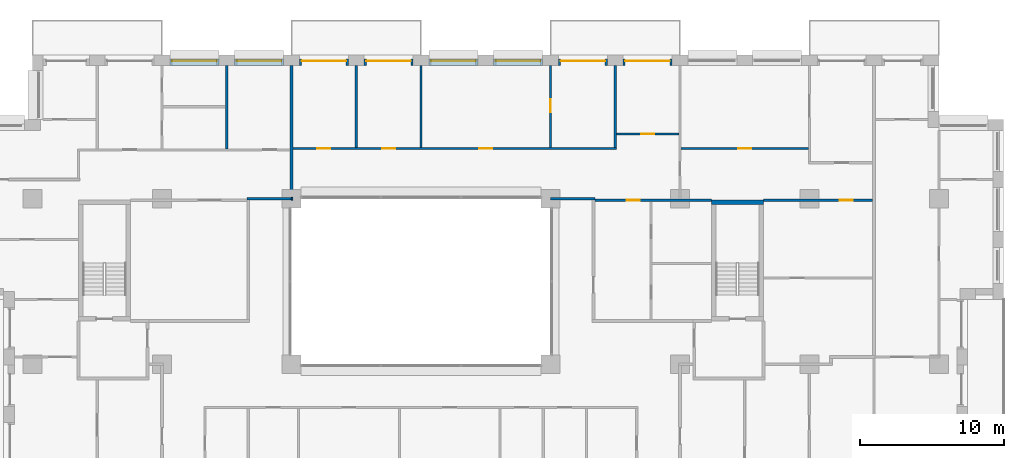
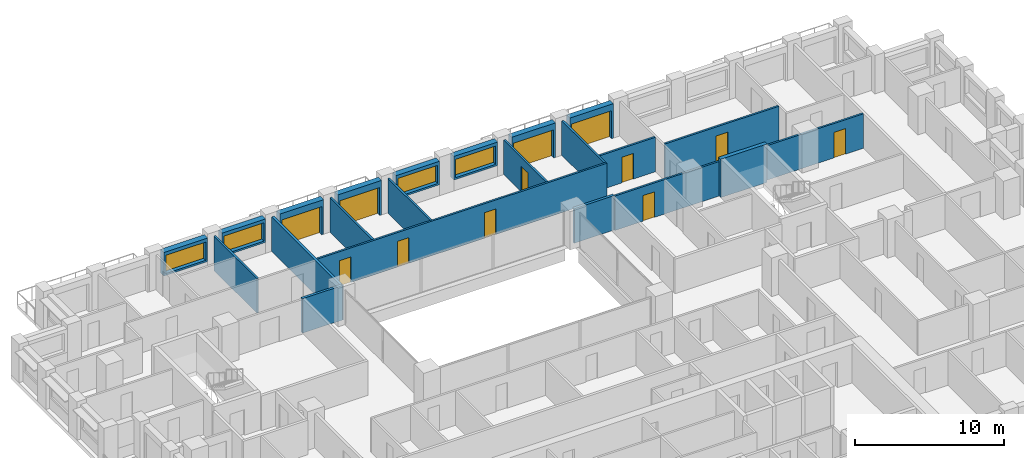
# One storey, part 13 of 16: 23 walls, 12 doors, 4 windows, 16 openings.
"""IFC4 building model written with IfcOpenShell, lengths in metres."""

from ifc_helpers import new_model, si_unit, direction, frame, frame_2d, origin, place, context, subcontext, project, spatial, rectangle, extrude, material, layer, layer_set, type_object, element, fill, save


model = new_model("IFC4")

# Units and contexts
model_context = context("Model", 3, precision=1e-05, world=origin(), true_north=direction((0.0, 1.0)))
body_context = subcontext(model_context, "Body", "Model", "MODEL_VIEW")
ifc_project = project(units=[si_unit("LENGTHUNIT", "METRE"), si_unit("AREAUNIT", "SQUARE_METRE"), si_unit("VOLUMEUNIT", "CUBIC_METRE"), si_unit("PLANEANGLEUNIT", "RADIAN"), si_unit("MASSUNIT", "GRAM", prefix="KILO")], contexts=[model_context])

# Site, building, storey
site_placement = place(None, origin())
site = spatial("IfcSite", under=ifc_project, at=site_placement, CompositionType="ELEMENT")
building_placement = place(site_placement, origin())
building = spatial("IfcBuilding", under=site, at=building_placement, Name="Brigalow Station Residences", CompositionType="ELEMENT")
storey_placement = place(building_placement, frame((0.0, 0.0, 124.5)))
storey = spatial("IfcBuildingStorey", under=building, at=storey_placement, Name="L36", CompositionType="ELEMENT", Elevation=124.5)

# Wall, opening, door
ifc_material_1 = material(Name="Clay brick masonry", Category="masonry")
ifc_layer_1 = layer(ifc_material_1, 0.449951171875)
ifc_layer_set_1 = layer_set([ifc_layer_1], Name="BRICK INFILL WALL 450")
wall_type_1 = type_object("IfcWallType", Name="BRICK INFILL WALL 450", PredefinedType="SOLIDWALL", material=ifc_layer_set_1)
wall_1_placement = place(storey_placement, frame((53.449951171875, 44.97509765625, 0.0), z_axis=(0.0, 0.0, 1.0), x_axis=(-1.0, 0.0, 0.0)))
wall_1 = element("IfcWall", 1, at=wall_1_placement, inside=storey, type_object=wall_type_1, Name="L36/ewall/W-L36-27", PredefinedType="SOLIDWALL", context=body_context, shape_type="SweptSolid", body=[
    extrude(rectangle(XDim=3.39990234375, YDim=0.449951171875, at=frame_2d((1.699951171875, 0.0))), origin(), (0.0, 0.0, 1.0), 2.830078125),
])
opening_1_placement = place(wall_1_placement, frame((0.14990234375, 0.0, 0.0)))
opening_1 = element("IfcOpeningElement", 2, at=opening_1_placement, cuts=wall_1, Name="Opening D-B3100", PredefinedType="OPENING", context=body_context, shape_type="SweptSolid", body=[
    extrude(rectangle(XDim=3.10009765625, YDim=2.300048828125, at=frame_2d((1.550048828125, 1.14990234375))), frame((0.0, 0.23486328125, 0.0), z_axis=(0.0, -1.0, 0.0), x_axis=(1.0, 0.0, 0.0)), (0.0, 0.0, 1.0), 0.469970703125),
])
ifc_material_2 = material(Name="Anodised aluminium frame with double glazing", Category="aluminium")
door_type_1 = type_object("IfcDoorType", Name="BALCONY SLIDING DOOR 3100x2300", OperationType="SLIDING_TO_LEFT", PredefinedType="DOOR", material=ifc_material_2)
door_1_placement = place(opening_1_placement, origin())
door_1 = element("IfcDoor", 3, at=door_1_placement, inside=storey, type_object=door_type_1, Name="L36/balcony-door/W-L36-27", OperationType="SLIDING_TO_LEFT", OverallHeight=2.300048828125, OverallWidth=3.10009765625, PredefinedType="DOOR", context=body_context, shape_type="SweptSolid", body=[
    extrude(rectangle(XDim=3.10009765625, YDim=2.300048828125, at=frame_2d((1.550048828125, 1.14990234375))), frame((0.0, -0.06982421875, 0.0), z_axis=(0.0, -1.0, 0.0), x_axis=(1.0, 0.0, 0.0)), (0.0, 0.0, 1.0), 0.050048828125),
])
fill(opening_1, door_1)

wall_2_placement = place(storey_placement, frame((48.949951171875, 44.97509765625, 0.0), z_axis=(0.0, 0.0, 1.0), x_axis=(-1.0, 0.0, 0.0)))
wall_2 = element("IfcWall", 4, at=wall_2_placement, inside=storey, type_object=wall_type_1, Name="L36/ewall/W-L36-28", PredefinedType="SOLIDWALL", context=body_context, shape_type="SweptSolid", body=[
    extrude(rectangle(XDim=3.39990234375, YDim=0.449951171875, at=frame_2d((1.699951171875, 0.0))), origin(), (0.0, 0.0, 1.0), 2.830078125),
])
opening_2_placement = place(wall_2_placement, frame((0.14990234375, 0.0, 0.0)))
opening_2 = element("IfcOpeningElement", 5, at=opening_2_placement, cuts=wall_2, Name="Opening D-B3100", PredefinedType="OPENING", context=body_context, shape_type="SweptSolid", body=[
    extrude(rectangle(XDim=3.10009765625, YDim=2.300048828125, at=frame_2d((1.550048828125, 1.14990234375))), frame((0.0, 0.23486328125, 0.0), z_axis=(0.0, -1.0, 0.0), x_axis=(1.0, 0.0, 0.0)), (0.0, 0.0, 1.0), 0.469970703125),
])
door_2_placement = place(opening_2_placement, origin())
door_2 = element("IfcDoor", 6, at=door_2_placement, inside=storey, type_object=door_type_1, Name="L36/balcony-door/W-L36-28", OperationType="SLIDING_TO_LEFT", OverallHeight=2.300048828125, OverallWidth=3.10009765625, PredefinedType="DOOR", context=body_context, shape_type="SweptSolid", body=[
    extrude(rectangle(XDim=3.10009765625, YDim=2.300048828125, at=frame_2d((1.550048828125, 1.14990234375))), frame((0.0, -0.06982421875, 0.0), z_axis=(0.0, -1.0, 0.0), x_axis=(1.0, 0.0, 0.0)), (0.0, 0.0, 1.0), 0.050048828125),
])
fill(opening_2, door_2)

# Wall, opening, window
wall_3_placement = place(storey_placement, frame((44.449951171875, 44.97509765625, 0.89990234375), z_axis=(0.0, 0.0, 1.0), x_axis=(-1.0, 0.0, 0.0)))
wall_3 = element("IfcWall", 7, at=wall_3_placement, inside=storey, type_object=wall_type_1, Name="L36/ewall/W-L36-29", PredefinedType="SOLIDWALL", context=body_context, shape_type="SweptSolid", body=[
    extrude(rectangle(XDim=3.39990234375, YDim=0.449951171875, at=frame_2d((1.699951171875, 0.0))), origin(), (0.0, 0.0, 1.0), 1.93017578125),
])
opening_3_placement = place(wall_3_placement, frame((0.14990234375, 0.0, 0.14990234375)))
opening_3 = element("IfcOpeningElement", 8, at=opening_3_placement, cuts=wall_3, Name="Opening WT-8", PredefinedType="OPENING", context=body_context, shape_type="SweptSolid", body=[
    extrude(rectangle(XDim=3.10009765625, YDim=1.5, at=frame_2d((1.550048828125, 0.75))), frame((0.0, 0.23486328125, 0.0), z_axis=(0.0, -1.0, 0.0), x_axis=(1.0, 0.0, 0.0)), (0.0, 0.0, 1.0), 0.469970703125),
])
ifc_material_3 = material(Name="Anodised aluminium frame with double glazing", Category="aluminium")
window_type = type_object("IfcWindowType", Name="WINDOW 3100x1500", PartitioningType="SINGLE_PANEL", PredefinedType="WINDOW", material=ifc_material_3)
window_1_placement = place(opening_3_placement, origin())
window_1 = element("IfcWindow", 9, at=window_1_placement, inside=storey, type_object=window_type, Name="L36/window/W-L36-29", OverallHeight=1.5, OverallWidth=3.10009765625, PartitioningType="SINGLE_PANEL", PredefinedType="WINDOW", context=body_context, shape_type="SweptSolid", body=[
    extrude(rectangle(XDim=3.10009765625, YDim=1.5, at=frame_2d((1.550048828125, 0.75))), frame((0.0, -0.06494140625, 0.0), z_axis=(0.0, -1.0, 0.0), x_axis=(1.0, 0.0, 0.0)), (0.0, 0.0, 1.0), 0.06005859375),
])
fill(opening_3, window_1)

wall_4_placement = place(storey_placement, frame((39.949951171875, 44.97509765625, 0.89990234375), z_axis=(0.0, 0.0, 1.0), x_axis=(-1.0, 0.0, 0.0)))
wall_4 = element("IfcWall", 10, at=wall_4_placement, inside=storey, type_object=wall_type_1, Name="L36/ewall/W-L36-30", PredefinedType="SOLIDWALL", context=body_context, shape_type="SweptSolid", body=[
    extrude(rectangle(XDim=3.39990234375, YDim=0.449951171875, at=frame_2d((1.699951171875, 0.0))), origin(), (0.0, 0.0, 1.0), 1.93017578125),
])
opening_4_placement = place(wall_4_placement, frame((0.14990234375, 0.0, 0.14990234375)))
opening_4 = element("IfcOpeningElement", 11, at=opening_4_placement, cuts=wall_4, Name="Opening WT-8", PredefinedType="OPENING", context=body_context, shape_type="SweptSolid", body=[
    extrude(rectangle(XDim=3.10009765625, YDim=1.5, at=frame_2d((1.550048828125, 0.75))), frame((0.0, 0.23486328125, 0.0), z_axis=(0.0, -1.0, 0.0), x_axis=(1.0, 0.0, 0.0)), (0.0, 0.0, 1.0), 0.469970703125),
])
window_2_placement = place(opening_4_placement, origin())
window_2 = element("IfcWindow", 12, at=window_2_placement, inside=storey, type_object=window_type, Name="L36/window/W-L36-30", OverallHeight=1.5, OverallWidth=3.10009765625, PartitioningType="SINGLE_PANEL", PredefinedType="WINDOW", context=body_context, shape_type="SweptSolid", body=[
    extrude(rectangle(XDim=3.10009765625, YDim=1.5, at=frame_2d((1.550048828125, 0.75))), frame((0.0, -0.06494140625, 0.0), z_axis=(0.0, -1.0, 0.0), x_axis=(1.0, 0.0, 0.0)), (0.0, 0.0, 1.0), 0.06005859375),
])
fill(opening_4, window_2)

# Wall, opening, door
wall_5_placement = place(storey_placement, frame((35.449951171875, 44.97509765625, 0.0), z_axis=(0.0, 0.0, 1.0), x_axis=(-1.0, 0.0, 0.0)))
wall_5 = element("IfcWall", 13, at=wall_5_placement, inside=storey, type_object=wall_type_1, Name="L36/ewall/W-L36-31", PredefinedType="SOLIDWALL", context=body_context, shape_type="SweptSolid", body=[
    extrude(rectangle(XDim=3.39990234375, YDim=0.449951171875, at=frame_2d((1.699951171875, 0.0))), origin(), (0.0, 0.0, 1.0), 2.830078125),
])
opening_5_placement = place(wall_5_placement, frame((0.14990234375, 0.0, 0.0)))
opening_5 = element("IfcOpeningElement", 14, at=opening_5_placement, cuts=wall_5, Name="Opening D-B3100", PredefinedType="OPENING", context=body_context, shape_type="SweptSolid", body=[
    extrude(rectangle(XDim=3.10009765625, YDim=2.300048828125, at=frame_2d((1.550048828125, 1.14990234375))), frame((0.0, 0.23486328125, 0.0), z_axis=(0.0, -1.0, 0.0), x_axis=(1.0, 0.0, 0.0)), (0.0, 0.0, 1.0), 0.469970703125),
])
door_3_placement = place(opening_5_placement, origin())
door_3 = element("IfcDoor", 15, at=door_3_placement, inside=storey, type_object=door_type_1, Name="L36/balcony-door/W-L36-31", OperationType="SLIDING_TO_LEFT", OverallHeight=2.300048828125, OverallWidth=3.10009765625, PredefinedType="DOOR", context=body_context, shape_type="SweptSolid", body=[
    extrude(rectangle(XDim=3.10009765625, YDim=2.300048828125, at=frame_2d((1.550048828125, 1.14990234375))), frame((0.0, -0.06982421875, 0.0), z_axis=(0.0, -1.0, 0.0), x_axis=(1.0, 0.0, 0.0)), (0.0, 0.0, 1.0), 0.050048828125),
])
fill(opening_5, door_3)

wall_6_placement = place(storey_placement, frame((30.949951171875, 44.97509765625, 0.0), z_axis=(0.0, 0.0, 1.0), x_axis=(-1.0, 0.0, 0.0)))
wall_6 = element("IfcWall", 16, at=wall_6_placement, inside=storey, type_object=wall_type_1, Name="L36/ewall/W-L36-32", PredefinedType="SOLIDWALL", context=body_context, shape_type="SweptSolid", body=[
    extrude(rectangle(XDim=3.39990234375, YDim=0.449951171875, at=frame_2d((1.699951171875, 0.0))), origin(), (0.0, 0.0, 1.0), 2.830078125),
])
opening_6_placement = place(wall_6_placement, frame((0.14990234375, 0.0, 0.0)))
opening_6 = element("IfcOpeningElement", 17, at=opening_6_placement, cuts=wall_6, Name="Opening D-B3100", PredefinedType="OPENING", context=body_context, shape_type="SweptSolid", body=[
    extrude(rectangle(XDim=3.10009765625, YDim=2.300048828125, at=frame_2d((1.550048828125, 1.14990234375))), frame((0.0, 0.23486328125, 0.0), z_axis=(0.0, -1.0, 0.0), x_axis=(1.0, 0.0, 0.0)), (0.0, 0.0, 1.0), 0.469970703125),
])
door_4_placement = place(opening_6_placement, origin())
door_4 = element("IfcDoor", 18, at=door_4_placement, inside=storey, type_object=door_type_1, Name="L36/balcony-door/W-L36-32", OperationType="SLIDING_TO_LEFT", OverallHeight=2.300048828125, OverallWidth=3.10009765625, PredefinedType="DOOR", context=body_context, shape_type="SweptSolid", body=[
    extrude(rectangle(XDim=3.10009765625, YDim=2.300048828125, at=frame_2d((1.550048828125, 1.14990234375))), frame((0.0, -0.06982421875, 0.0), z_axis=(0.0, -1.0, 0.0), x_axis=(1.0, 0.0, 0.0)), (0.0, 0.0, 1.0), 0.050048828125),
])
fill(opening_6, door_4)

# Wall, opening, window
wall_7_placement = place(storey_placement, frame((26.449951171875, 44.97509765625, 0.89990234375), z_axis=(0.0, 0.0, 1.0), x_axis=(-1.0, 0.0, 0.0)))
wall_7 = element("IfcWall", 19, at=wall_7_placement, inside=storey, type_object=wall_type_1, Name="L36/ewall/W-L36-33", PredefinedType="SOLIDWALL", context=body_context, shape_type="SweptSolid", body=[
    extrude(rectangle(XDim=3.39990234375, YDim=0.449951171875, at=frame_2d((1.699951171875, 0.0))), origin(), (0.0, 0.0, 1.0), 1.93017578125),
])
opening_7_placement = place(wall_7_placement, frame((0.14990234375, 0.0, 0.14990234375)))
opening_7 = element("IfcOpeningElement", 20, at=opening_7_placement, cuts=wall_7, Name="Opening WT-8", PredefinedType="OPENING", context=body_context, shape_type="SweptSolid", body=[
    extrude(rectangle(XDim=3.10009765625, YDim=1.5, at=frame_2d((1.550048828125, 0.75))), frame((0.0, 0.23486328125, 0.0), z_axis=(0.0, -1.0, 0.0), x_axis=(1.0, 0.0, 0.0)), (0.0, 0.0, 1.0), 0.469970703125),
])
window_3_placement = place(opening_7_placement, origin())
window_3 = element("IfcWindow", 21, at=window_3_placement, inside=storey, type_object=window_type, Name="L36/window/W-L36-33", OverallHeight=1.5, OverallWidth=3.10009765625, PartitioningType="SINGLE_PANEL", PredefinedType="WINDOW", context=body_context, shape_type="SweptSolid", body=[
    extrude(rectangle(XDim=3.10009765625, YDim=1.5, at=frame_2d((1.550048828125, 0.75))), frame((0.0, -0.06494140625, 0.0), z_axis=(0.0, -1.0, 0.0), x_axis=(1.0, 0.0, 0.0)), (0.0, 0.0, 1.0), 0.06005859375),
])
fill(opening_7, window_3)

wall_8_placement = place(storey_placement, frame((21.949951171875, 44.97509765625, 0.89990234375), z_axis=(0.0, 0.0, 1.0), x_axis=(-1.0, 0.0, 0.0)))
wall_8 = element("IfcWall", 22, at=wall_8_placement, inside=storey, type_object=wall_type_1, Name="L36/ewall/W-L36-34", PredefinedType="SOLIDWALL", context=body_context, shape_type="SweptSolid", body=[
    extrude(rectangle(XDim=3.39990234375, YDim=0.449951171875, at=frame_2d((1.699951171875, 0.0))), origin(), (0.0, 0.0, 1.0), 1.93017578125),
])
opening_8_placement = place(wall_8_placement, frame((0.14990234375, 0.0, 0.14990234375)))
opening_8 = element("IfcOpeningElement", 23, at=opening_8_placement, cuts=wall_8, Name="Opening WT-8", PredefinedType="OPENING", context=body_context, shape_type="SweptSolid", body=[
    extrude(rectangle(XDim=3.10009765625, YDim=1.5, at=frame_2d((1.550048828125, 0.75))), frame((0.0, 0.23486328125, 0.0), z_axis=(0.0, -1.0, 0.0), x_axis=(1.0, 0.0, 0.0)), (0.0, 0.0, 1.0), 0.469970703125),
])
window_4_placement = place(opening_8_placement, origin())
window_4 = element("IfcWindow", 24, at=window_4_placement, inside=storey, type_object=window_type, Name="L36/window/W-L36-34", OverallHeight=1.5, OverallWidth=3.10009765625, PartitioningType="SINGLE_PANEL", PredefinedType="WINDOW", context=body_context, shape_type="SweptSolid", body=[
    extrude(rectangle(XDim=3.10009765625, YDim=1.5, at=frame_2d((1.550048828125, 0.75))), frame((0.0, -0.06494140625, 0.0), z_axis=(0.0, -1.0, 0.0), x_axis=(1.0, 0.0, 0.0)), (0.0, 0.0, 1.0), 0.06005859375),
])
fill(opening_8, window_4)

# Wall
ifc_material_4 = material(Name="Concrete C65", Category="concrete")
ifc_layer_2 = layer(ifc_material_4, 0.300048828125)
ifc_layer_set_2 = layer_set([ifc_layer_2], Name="CORE SHEAR WALL 300 C65")
wall_type_2 = type_object("IfcWallType", Name="CORE SHEAR WALL 300 C65", PredefinedType="SHEAR", material=ifc_layer_set_2)
wall_9_placement = place(storey_placement, frame((56.199951171875, 35.25, 0.0), z_axis=(0.0, 0.0, 1.0), x_axis=(1.0, 0.0, 0.0)))
element("IfcWall", 25, at=wall_9_placement, inside=storey, type_object=wall_type_2, Name="CORE WALL ST-S3-N L36", PredefinedType="SHEAR", context=body_context, shape_type="SweptSolid", body=[
    extrude(rectangle(XDim=3.60009765625, YDim=0.300048828125, at=frame_2d((1.800048828125, 0.0))), origin(), (0.0, 0.0, 1.0), 3.14990234375),
])

# Wall, opening, door
ifc_material_5 = material(Name="Plasterboard on steel stud partition", Category="steel")
ifc_layer_3 = layer(ifc_material_5, 0.14990234375)
ifc_layer_set_3 = layer_set([ifc_layer_3], Name="FLAT PARTITION 150")
wall_type_3 = type_object("IfcWallType", Name="FLAT PARTITION 150", PredefinedType="PARTITIONING", material=ifc_layer_set_3)
wall_10_placement = place(storey_placement, frame((48.10009765625, 35.39990234375, 0.0), z_axis=(0.0, 0.0, 1.0), x_axis=(1.0, 0.0, 0.0)))
wall_10 = element("IfcWall", 26, at=wall_10_placement, inside=storey, type_object=wall_type_3, Name="PW-2F27", PredefinedType="PARTITIONING", context=body_context, shape_type="SweptSolid", body=[
    extrude(rectangle(XDim=8.099853515625, YDim=0.14990234375, at=frame_2d((4.0498046875, 0.0))), origin(), (0.0, 0.0, 1.0), 2.830078125),
])
opening_9_placement = place(wall_10_placement, frame((2.199951171875, 0.0, 0.0)))
opening_9 = element("IfcOpeningElement", 27, at=opening_9_placement, cuts=wall_10, Name="Opening D-2F23", PredefinedType="OPENING", context=body_context, shape_type="SweptSolid", body=[
    extrude(rectangle(XDim=0.89990234375, YDim=2.10009765625, at=frame_2d((0.449951171875, 1.050048828125))), frame((0.0, 0.0849609375, 0.0), z_axis=(0.0, -1.0, 0.0), x_axis=(1.0, 0.0, 0.0)), (0.0, 0.0, 1.0), 0.169921875),
])
ifc_material_6 = material(Name="Solid-core timber door leaf", Category="wood")
door_type_2 = type_object("IfcDoorType", Name="INTERNAL DOOR 900 x 2100", OperationType="SINGLE_SWING_LEFT", PredefinedType="DOOR", material=ifc_material_6)
door_5_placement = place(opening_9_placement, frame((0.89990234375, 0.0, 0.0), z_axis=(0.0, 0.0, 1.0), x_axis=(-1.0, 0.0, 0.0)))
door_5 = element("IfcDoor", 28, at=door_5_placement, inside=storey, type_object=door_type_2, Name="D-2F23", OperationType="SINGLE_SWING_LEFT", OverallHeight=2.10009765625, OverallWidth=0.89990234375, PredefinedType="DOOR", context=body_context, shape_type="SweptSolid", body=[
    extrude(rectangle(XDim=0.89990234375, YDim=2.10009765625, at=frame_2d((0.449951171875, 1.050048828125))), frame((0.0, 0.02490234375, 0.0), z_axis=(0.0, -1.0, 0.0), x_axis=(1.0, 0.0, 0.0)), (0.0, 0.0, 1.0), 0.050048828125),
])
fill(opening_9, door_5)

wall_11_placement = place(storey_placement, frame((59.800048828125, 35.39990234375, 0.0), z_axis=(0.0, 0.0, 1.0), x_axis=(1.0, 0.0, 0.0)))
wall_11 = element("IfcWall", 29, at=wall_11_placement, inside=storey, type_object=wall_type_3, Name="PW-2F28", PredefinedType="PARTITIONING", context=body_context, shape_type="SweptSolid", body=[
    extrude(rectangle(XDim=7.599853515625, YDim=0.14990234375, at=frame_2d((3.7998046875, 0.0))), origin(), (0.0, 0.0, 1.0), 2.830078125),
])
opening_10_placement = place(wall_11_placement, frame((5.324951171875, 0.0, 0.0)))
opening_10 = element("IfcOpeningElement", 30, at=opening_10_placement, cuts=wall_11, Name="Opening D-2F33", PredefinedType="OPENING", context=body_context, shape_type="SweptSolid", body=[
    extrude(rectangle(XDim=0.89990234375, YDim=2.10009765625, at=frame_2d((0.449951171875, 1.050048828125))), frame((0.0, 0.0849609375, 0.0), z_axis=(0.0, -1.0, 0.0), x_axis=(1.0, 0.0, 0.0)), (0.0, 0.0, 1.0), 0.169921875),
])
door_6_placement = place(opening_10_placement, frame((0.89990234375, 0.0, 0.0), z_axis=(0.0, 0.0, 1.0), x_axis=(-1.0, 0.0, 0.0)))
door_6 = element("IfcDoor", 31, at=door_6_placement, inside=storey, type_object=door_type_2, Name="D-2F33", OperationType="SINGLE_SWING_LEFT", OverallHeight=2.10009765625, OverallWidth=0.89990234375, PredefinedType="DOOR", context=body_context, shape_type="SweptSolid", body=[
    extrude(rectangle(XDim=0.89990234375, YDim=2.10009765625, at=frame_2d((0.449951171875, 1.050048828125))), frame((0.0, 0.02490234375, 0.0), z_axis=(0.0, -1.0, 0.0), x_axis=(1.0, 0.0, 0.0)), (0.0, 0.0, 1.0), 0.050048828125),
])
fill(opening_10, door_6)

# Wall, openings, doors
wall_12_placement = place(storey_placement, frame((27.10009765625, 39.0, 0.0), z_axis=(0.0, 0.0, 1.0), x_axis=(1.0, 0.0, 0.0)))
wall_12 = element("IfcWall", 32, at=wall_12_placement, inside=storey, type_object=wall_type_3, Name="PW-2F33", PredefinedType="PARTITIONING", context=body_context, shape_type="SweptSolid", body=[
    extrude(rectangle(XDim=22.474853515625, YDim=0.14990234375, at=frame_2d((11.2373046875, 0.0))), origin(), (0.0, 0.0, 1.0), 2.830078125),
])
opening_11_placement = place(wall_12_placement, frame((1.699951171875, 0.0, 0.0)))
opening_11 = element("IfcOpeningElement", 33, at=opening_11_placement, cuts=wall_12, Name="Opening D-2F24", PredefinedType="OPENING", context=body_context, shape_type="SweptSolid", body=[
    extrude(rectangle(XDim=0.89990234375, YDim=2.10009765625, at=frame_2d((0.449951171875, 1.050048828125))), frame((0.0, 0.0849609375, 0.0), z_axis=(0.0, -1.0, 0.0), x_axis=(1.0, 0.0, 0.0)), (0.0, 0.0, 1.0), 0.169921875),
])
opening_12_placement = place(wall_12_placement, frame((6.199951171875, 0.0, 0.0)))
opening_12 = element("IfcOpeningElement", 34, at=opening_12_placement, cuts=wall_12, Name="Opening D-2F25", PredefinedType="OPENING", context=body_context, shape_type="SweptSolid", body=[
    extrude(rectangle(XDim=0.89990234375, YDim=2.10009765625, at=frame_2d((0.449951171875, 1.050048828125))), frame((0.0, 0.0849609375, 0.0), z_axis=(0.0, -1.0, 0.0), x_axis=(1.0, 0.0, 0.0)), (0.0, 0.0, 1.0), 0.169921875),
])
opening_13_placement = place(wall_12_placement, frame((12.949951171875, 0.0, 0.0)))
opening_13 = element("IfcOpeningElement", 35, at=opening_13_placement, cuts=wall_12, Name="Opening D-2F26", PredefinedType="OPENING", context=body_context, shape_type="SweptSolid", body=[
    extrude(rectangle(XDim=0.89990234375, YDim=2.10009765625, at=frame_2d((0.449951171875, 1.050048828125))), frame((0.0, 0.0849609375, 0.0), z_axis=(0.0, -1.0, 0.0), x_axis=(1.0, 0.0, 0.0)), (0.0, 0.0, 1.0), 0.169921875),
])
door_7_placement = place(opening_11_placement, origin())
door_7 = element("IfcDoor", 36, at=door_7_placement, inside=storey, type_object=door_type_2, Name="D-2F24", OperationType="SINGLE_SWING_LEFT", OverallHeight=2.10009765625, OverallWidth=0.89990234375, PredefinedType="DOOR", context=body_context, shape_type="SweptSolid", body=[
    extrude(rectangle(XDim=0.89990234375, YDim=2.10009765625, at=frame_2d((0.449951171875, 1.050048828125))), frame((0.0, 0.02490234375, 0.0), z_axis=(0.0, -1.0, 0.0), x_axis=(1.0, 0.0, 0.0)), (0.0, 0.0, 1.0), 0.050048828125),
])
fill(opening_11, door_7)
door_8_placement = place(opening_12_placement, origin())
door_8 = element("IfcDoor", 37, at=door_8_placement, inside=storey, type_object=door_type_2, Name="D-2F25", OperationType="SINGLE_SWING_RIGHT", OverallHeight=2.10009765625, OverallWidth=0.89990234375, PredefinedType="DOOR", context=body_context, shape_type="SweptSolid", body=[
    extrude(rectangle(XDim=0.89990234375, YDim=2.10009765625, at=frame_2d((0.449951171875, 1.050048828125))), frame((0.0, 0.02490234375, 0.0), z_axis=(0.0, -1.0, 0.0), x_axis=(1.0, 0.0, 0.0)), (0.0, 0.0, 1.0), 0.050048828125),
])
fill(opening_12, door_8)
door_9_placement = place(opening_13_placement, origin())
door_9 = element("IfcDoor", 38, at=door_9_placement, inside=storey, type_object=door_type_2, Name="D-2F26", OperationType="SINGLE_SWING_LEFT", OverallHeight=2.10009765625, OverallWidth=0.89990234375, PredefinedType="DOOR", context=body_context, shape_type="SweptSolid", body=[
    extrude(rectangle(XDim=0.89990234375, YDim=2.10009765625, at=frame_2d((0.449951171875, 1.050048828125))), frame((0.0, 0.02490234375, 0.0), z_axis=(0.0, -1.0, 0.0), x_axis=(1.0, 0.0, 0.0)), (0.0, 0.0, 1.0), 0.050048828125),
])
fill(opening_13, door_9)

# Wall, opening, door
wall_13_placement = place(storey_placement, frame((54.074951171875, 39.0, 0.0), z_axis=(0.0, 0.0, 1.0), x_axis=(1.0, 0.0, 0.0)))
wall_13 = element("IfcWall", 39, at=wall_13_placement, inside=storey, type_object=wall_type_3, Name="PW-2F34", PredefinedType="PARTITIONING", context=body_context, shape_type="SweptSolid", body=[
    extrude(rectangle(XDim=8.85009765625, YDim=0.14990234375, at=frame_2d((4.425048828125, 0.0))), origin(), (0.0, 0.0, 1.0), 2.830078125),
])
opening_14_placement = place(wall_13_placement, frame((3.97509765625, 0.0, 0.0)))
opening_14 = element("IfcOpeningElement", 40, at=opening_14_placement, cuts=wall_13, Name="Opening D-2F30", PredefinedType="OPENING", context=body_context, shape_type="SweptSolid", body=[
    extrude(rectangle(XDim=0.89990234375, YDim=2.10009765625, at=frame_2d((0.449951171875, 1.050048828125))), frame((0.0, 0.0849609375, 0.0), z_axis=(0.0, -1.0, 0.0), x_axis=(1.0, 0.0, 0.0)), (0.0, 0.0, 1.0), 0.169921875),
])
door_10_placement = place(opening_14_placement, frame((0.89990234375, 0.0, 0.0), z_axis=(0.0, 0.0, 1.0), x_axis=(-1.0, 0.0, 0.0)))
door_10 = element("IfcDoor", 41, at=door_10_placement, inside=storey, type_object=door_type_2, Name="D-2F30", OperationType="SINGLE_SWING_LEFT", OverallHeight=2.10009765625, OverallWidth=0.89990234375, PredefinedType="DOOR", context=body_context, shape_type="SweptSolid", body=[
    extrude(rectangle(XDim=0.89990234375, YDim=2.10009765625, at=frame_2d((0.449951171875, 1.050048828125))), frame((0.0, 0.02490234375, 0.0), z_axis=(0.0, -1.0, 0.0), x_axis=(1.0, 0.0, 0.0)), (0.0, 0.0, 1.0), 0.050048828125),
])
fill(opening_14, door_10)

wall_14_placement = place(storey_placement, frame((49.574951171875, 40.0, 0.0), z_axis=(0.0, 0.0, 1.0), x_axis=(1.0, 0.0, 0.0)))
wall_14 = element("IfcWall", 42, at=wall_14_placement, inside=storey, type_object=wall_type_3, Name="PW-2F35", PredefinedType="PARTITIONING", context=body_context, shape_type="SweptSolid", body=[
    extrude(rectangle(XDim=4.35009765625, YDim=0.14990234375, at=frame_2d((2.175048828125, 0.0))), origin(), (0.0, 0.0, 1.0), 2.830078125),
])
opening_15_placement = place(wall_14_placement, frame((1.72509765625, 0.0, 0.0)))
opening_15 = element("IfcOpeningElement", 43, at=opening_15_placement, cuts=wall_14, Name="Opening D-2F28", PredefinedType="OPENING", context=body_context, shape_type="SweptSolid", body=[
    extrude(rectangle(XDim=0.89990234375, YDim=2.10009765625, at=frame_2d((0.449951171875, 1.050048828125))), frame((0.0, 0.0849609375, 0.0), z_axis=(0.0, -1.0, 0.0), x_axis=(1.0, 0.0, 0.0)), (0.0, 0.0, 1.0), 0.169921875),
])
door_11_placement = place(opening_15_placement, origin())
door_11 = element("IfcDoor", 44, at=door_11_placement, inside=storey, type_object=door_type_2, Name="D-2F28", OperationType="SINGLE_SWING_RIGHT", OverallHeight=2.10009765625, OverallWidth=0.89990234375, PredefinedType="DOOR", context=body_context, shape_type="SweptSolid", body=[
    extrude(rectangle(XDim=0.89990234375, YDim=2.10009765625, at=frame_2d((0.449951171875, 1.050048828125))), frame((0.0, 0.02490234375, 0.0), z_axis=(0.0, -1.0, 0.0), x_axis=(1.0, 0.0, 0.0)), (0.0, 0.0, 1.0), 0.050048828125),
])
fill(opening_15, door_11)

# Walls
wall_15_placement = place(storey_placement, frame((22.5, 38.97509765625, 0.0), z_axis=(0.0, 0.0, 1.0), x_axis=(0.0, 1.0, 0.0)))
element("IfcWall", 45, at=wall_15_placement, inside=storey, type_object=wall_type_3, Name="PW-2F55", PredefinedType="PARTITIONING", context=body_context, shape_type="SweptSolid", body=[
    extrude(rectangle(XDim=5.77490234375, YDim=0.14990234375, at=frame_2d((2.887451171875, 0.0))), origin(), (0.0, 0.0, 1.0), 2.830078125),
])
for number, where, z_axis, x_axis, name in (
    (46, (49.5, 39.074951171875, 0.0), (0.0, 0.0, 1.0), (0.0, 1.0, 0.0), "PW-2F57"),
    (47, (31.5, 39.074951171875, 0.0), (0.0, 0.0, 1.0), (0.0, 1.0, 0.0), "PW-2F58"),
    (48, (36.0, 39.074951171875, 0.0), (0.0, 0.0, 1.0), (0.0, 1.0, 0.0), "PW-2F59"),
):
    element("IfcWall", number, at=place(storey_placement, frame(where, z_axis=z_axis, x_axis=x_axis)), inside=storey, type_object=wall_type_3, Name=name, PredefinedType="PARTITIONING", context=body_context, shape_type="SweptSolid", body=[
        extrude(rectangle(XDim=5.675048828125, YDim=0.14990234375, at=frame_2d((2.83740234375, 0.0))), origin(), (0.0, 0.0, 1.0), 2.830078125),
    ])

# Wall, opening, door
wall_16_placement = place(storey_placement, frame((45.0, 39.074951171875, 0.0), z_axis=(0.0, 0.0, 1.0), x_axis=(0.0, 1.0, 0.0)))
wall_16 = element("IfcWall", 49, at=wall_16_placement, inside=storey, type_object=wall_type_3, Name="PW-2F60", PredefinedType="PARTITIONING", context=body_context, shape_type="SweptSolid", body=[
    extrude(rectangle(XDim=5.675048828125, YDim=0.14990234375, at=frame_2d((2.83740234375, 0.0))), origin(), (0.0, 0.0, 1.0), 2.830078125),
])
opening_16_placement = place(wall_16_placement, frame((2.425048828125, 0.0, 0.0)))
opening_16 = element("IfcOpeningElement", 50, at=opening_16_placement, cuts=wall_16, Name="Opening D-2F27", PredefinedType="OPENING", context=body_context, shape_type="SweptSolid", body=[
    extrude(rectangle(XDim=0.89990234375, YDim=2.10009765625, at=frame_2d((0.449951171875, 1.050048828125))), frame((0.0, 0.0849609375, 0.0), z_axis=(0.0, -1.0, 0.0), x_axis=(1.0, 0.0, 0.0)), (0.0, 0.0, 1.0), 0.169921875),
])
door_12_placement = place(opening_16_placement, frame((0.89990234375, 0.0, 0.0), z_axis=(0.0, 0.0, 1.0), x_axis=(-1.0, 0.0, 0.0)))
door_12 = element("IfcDoor", 51, at=door_12_placement, inside=storey, type_object=door_type_2, Name="D-2F27", OperationType="SINGLE_SWING_LEFT", OverallHeight=2.10009765625, OverallWidth=0.89990234375, PredefinedType="DOOR", context=body_context, shape_type="SweptSolid", body=[
    extrude(rectangle(XDim=0.89990234375, YDim=2.10009765625, at=frame_2d((0.449951171875, 1.050048828125))), frame((0.0, 0.02490234375, 0.0), z_axis=(0.0, -1.0, 0.0), x_axis=(1.0, 0.0, 0.0)), (0.0, 0.0, 1.0), 0.050048828125),
])
fill(opening_16, door_12)

# Walls
ifc_material_7 = material(Name="Plasterboard on steel stud partition", Category="steel")
ifc_layer_4 = layer(ifc_material_7, 0.199951171875)
ifc_layer_set_4 = layer_set([ifc_layer_4], Name="PARTY AND CORRIDOR WALL 200")
wall_type_4 = type_object("IfcWallType", Name="PARTY AND CORRIDOR WALL 200", PredefinedType="PARTITIONING", material=ifc_layer_set_4)
wall_17_placement = place(storey_placement, frame((23.89990234375, 35.5, 0.0), z_axis=(0.0, 0.0, 1.0), x_axis=(1.0, 0.0, 0.0)))
element("IfcWall", 52, at=wall_17_placement, inside=storey, type_object=wall_type_4, Name="PW-2F07", PredefinedType="PARTITIONING", context=body_context, shape_type="SweptSolid", body=[
    extrude(rectangle(XDim=3.10009765625, YDim=0.199951171875, at=frame_2d((1.550048828125, 0.0))), origin(), (0.0, 0.0, 1.0), 2.830078125),
])
wall_18_placement = place(storey_placement, frame((27.0, 35.5, 0.0), z_axis=(0.0, 0.0, 1.0), x_axis=(1.0, 0.0, 0.0)))
element("IfcWall", 53, at=wall_18_placement, inside=storey, type_object=wall_type_4, Name="PW-2F08", PredefinedType="PARTITIONING", context=body_context, shape_type="SweptSolid", body=[
    extrude(rectangle(XDim=0.10009765625, YDim=0.199951171875, at=frame_2d((0.050048828125, 0.0))), origin(), (0.0, 0.0, 1.0), 2.830078125),
])
wall_19_placement = place(storey_placement, frame((45.0, 35.5, 0.0), z_axis=(0.0, 0.0, 1.0), x_axis=(1.0, 0.0, 0.0)))
element("IfcWall", 54, at=wall_19_placement, inside=storey, type_object=wall_type_4, Name="PW-2F09", PredefinedType="PARTITIONING", context=body_context, shape_type="SweptSolid", body=[
    extrude(rectangle(XDim=3.10009765625, YDim=0.199951171875, at=frame_2d((1.550048828125, 0.0))), origin(), (0.0, 0.0, 1.0), 2.830078125),
])
wall_20_placement = place(storey_placement, frame((27.0, 35.60009765625, 0.0), z_axis=(0.0, 0.0, 1.0), x_axis=(0.0, 1.0, 0.0)))
element("IfcWall", 55, at=wall_20_placement, inside=storey, type_object=wall_type_4, Name="PW-2F54", PredefinedType="PARTITIONING", context=body_context, shape_type="SweptSolid", body=[
    extrude(rectangle(XDim=9.14990234375, YDim=0.199951171875, at=frame_2d((4.574951171875, 0.0))), origin(), (0.0, 0.0, 1.0), 2.830078125),
])

save(model, "model.ifc")
